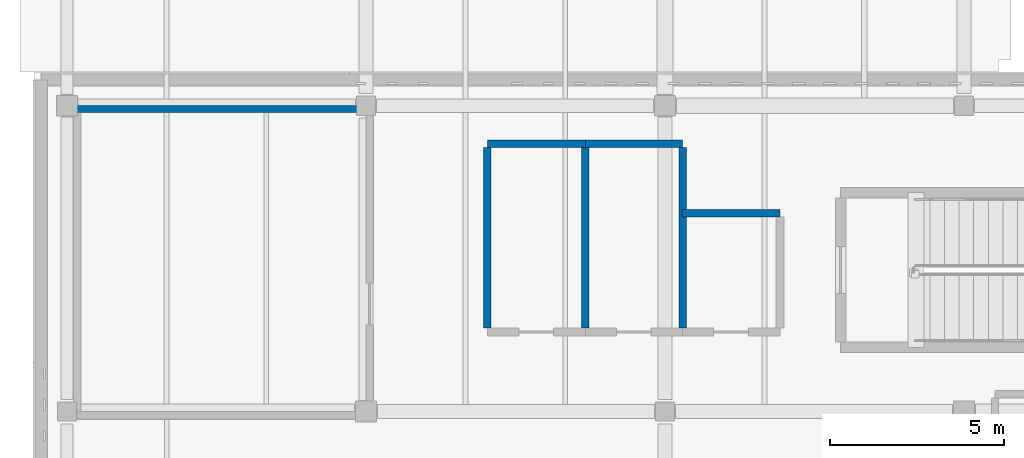
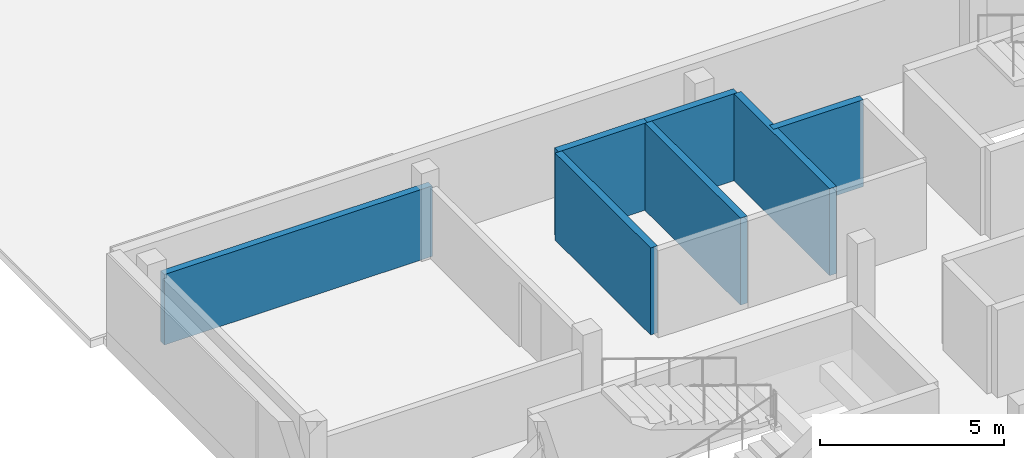
# One storey, part 12 of 17: 7 walls.
"""IFC4 building model written with IfcOpenShell, lengths in metres."""

from ifc_helpers import new_model, si_unit, direction, frame, frame_2d, origin, place, context, subcontext, project, spatial, rectangle, extrude, material, layer, layer_set, type_object, element, save


model = new_model("IFC4")

# Units and contexts
model_context = context("Model", 3, precision=1e-05, world=origin(), true_north=direction((0.0, 1.0)))
body_context = subcontext(model_context, "Body", "Model", "MODEL_VIEW")
ifc_project = project(units=[si_unit("LENGTHUNIT", "METRE"), si_unit("AREAUNIT", "SQUARE_METRE"), si_unit("VOLUMEUNIT", "CUBIC_METRE"), si_unit("PLANEANGLEUNIT", "RADIAN"), si_unit("MASSUNIT", "GRAM", prefix="KILO")], contexts=[model_context])

# Site, building, storey
site_placement = place(None, origin())
site = spatial("IfcSite", under=ifc_project, at=site_placement, CompositionType="ELEMENT")
building_placement = place(site_placement, origin())
building = spatial("IfcBuilding", under=site, at=building_placement, Name="Varnakota Cinema and Media Centre", CompositionType="ELEMENT")
storey_placement = place(building_placement, frame((0.0, 0.0, 22.35009765625)))
storey = spatial("IfcBuildingStorey", under=building, at=storey_placement, Name="L06", CompositionType="ELEMENT", Elevation=22.35009765625)

# Walls
ifc_material_1 = material(Name="Autoclaved aerated concrete blockwork", Category="masonry")
ifc_layer_1 = layer(ifc_material_1, 0.2099609375)
ifc_layer_set_1 = layer_set([ifc_layer_1], Name="Autoclaved aerated concrete blockwork")
wall_type_1 = type_object("IfcWallType", Name="W-ACOUST-210", PredefinedType="PARTITIONING", material=ifc_layer_set_1)
wall_1_placement = place(storey_placement, frame((0.294921875, 35.10498046875, 0.0), z_axis=(0.0, 0.0, 1.0), x_axis=(1.0, 0.0, 0.0)))
element("IfcWall", 1, at=wall_1_placement, inside=storey, type_object=wall_type_1, Name="L06 RWALL-RM-L06-READ N wall", PredefinedType="PARTITIONING", context=body_context, shape_type="SweptSolid", body=[
    extrude(rectangle(XDim=8.41015625, YDim=0.2099609375, at=frame_2d((4.205078125, 0.0))), origin(), (0.0, 0.0, 1.0), 2.33984375),
])
ifc_material_2 = material(Name="Autoclaved aerated concrete blockwork", Category="masonry")
ifc_layer_2 = layer(ifc_material_2, 0.219970703125)
ifc_layer_set_2 = layer_set([ifc_layer_2], Name="Autoclaved aerated concrete blockwork")
wall_type_2 = type_object("IfcWallType", Name="W-PLUMB-220", PredefinedType="PLUMBINGWALL", material=ifc_layer_set_2)
wall_2_placement = place(storey_placement, frame((12.090087890625, 28.800048828125, 0.0), z_axis=(0.0, 0.0, 1.0), x_axis=(0.0, 1.0, 0.0)))
element("IfcWall", 2, at=wall_2_placement, inside=storey, type_object=wall_type_2, Name="L06 RWALL-RM-L06-WCM W wall", PredefinedType="PLUMBINGWALL", context=body_context, shape_type="SweptSolid", body=[
    extrude(rectangle(XDim=5.199951171875, YDim=0.219970703125, at=frame_2d((2.60009765625, 0.0))), origin(), (0.0, 0.0, 1.0), 2.889892578125),
])
wall_3_placement = place(storey_placement, frame((12.090087890625, 34.110107421875, 0.0), z_axis=(0.0, 0.0, 1.0), x_axis=(1.0, 0.0, 0.0)))
element("IfcWall", 3, at=wall_3_placement, inside=storey, type_object=wall_type_2, Name="L06 RWALL-RM-L06-WCM N wall", PredefinedType="PLUMBINGWALL", context=body_context, shape_type="SweptSolid", body=[
    extrude(rectangle(XDim=2.81982421875, YDim=0.219970703125, at=frame_2d((1.409912109375, 0.0))), origin(), (0.0, 0.0, 1.0), 2.889892578125),
])
wall_4_placement = place(storey_placement, frame((14.909912109375, 34.0, 0.0), z_axis=(0.0, 0.0, 1.0), x_axis=(0.0, -1.0, 0.0)))
element("IfcWall", 4, at=wall_4_placement, inside=storey, type_object=wall_type_2, Name="L06 RWALL-RM-L06-WCM E wall", PredefinedType="PLUMBINGWALL", context=body_context, shape_type="SweptSolid", body=[
    extrude(rectangle(XDim=5.199951171875, YDim=0.219970703125, at=frame_2d((2.60009765625, 0.0))), origin(), (0.0, 0.0, 1.0), 2.889892578125),
])
wall_5_placement = place(storey_placement, frame((14.889892578125, 34.110107421875, 0.0), z_axis=(0.0, 0.0, 1.0), x_axis=(1.0, 0.0, 0.0)))
element("IfcWall", 5, at=wall_5_placement, inside=storey, type_object=wall_type_2, Name="L06 RWALL-RM-L06-WCF N wall", PredefinedType="PLUMBINGWALL", context=body_context, shape_type="SweptSolid", body=[
    extrude(rectangle(XDim=2.820068359375, YDim=0.219970703125, at=frame_2d((1.41015625, 0.0))), origin(), (0.0, 0.0, 1.0), 2.889892578125),
])
wall_6_placement = place(storey_placement, frame((17.7099609375, 34.0, 0.0), z_axis=(0.0, 0.0, 1.0), x_axis=(0.0, -1.0, 0.0)))
element("IfcWall", 6, at=wall_6_placement, inside=storey, type_object=wall_type_2, Name="L06 RWALL-RM-L06-WCF E wall", PredefinedType="PLUMBINGWALL", context=body_context, shape_type="SweptSolid", body=[
    extrude(rectangle(XDim=5.199951171875, YDim=0.219970703125, at=frame_2d((2.60009765625, 0.0))), origin(), (0.0, 0.0, 1.0), 2.889892578125),
])
wall_7_placement = place(storey_placement, frame((17.68994140625, 32.110107421875, 0.0), z_axis=(0.0, 0.0, 1.0), x_axis=(1.0, 0.0, 0.0)))
element("IfcWall", 7, at=wall_7_placement, inside=storey, type_object=wall_type_2, Name="L06 RWALL-RM-L06-WCA N wall", PredefinedType="PLUMBINGWALL", context=body_context, shape_type="SweptSolid", body=[
    extrude(rectangle(XDim=2.820068359375, YDim=0.219970703125, at=frame_2d((1.41015625, 0.0))), origin(), (0.0, 0.0, 1.0), 2.889892578125),
])

save(model, "model.ifc")
